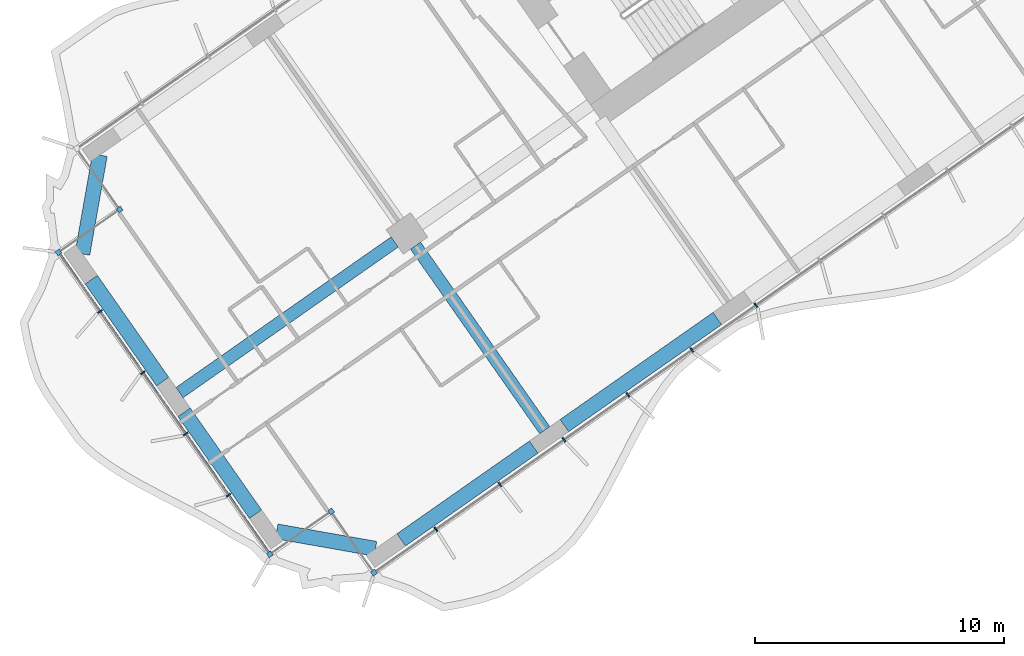
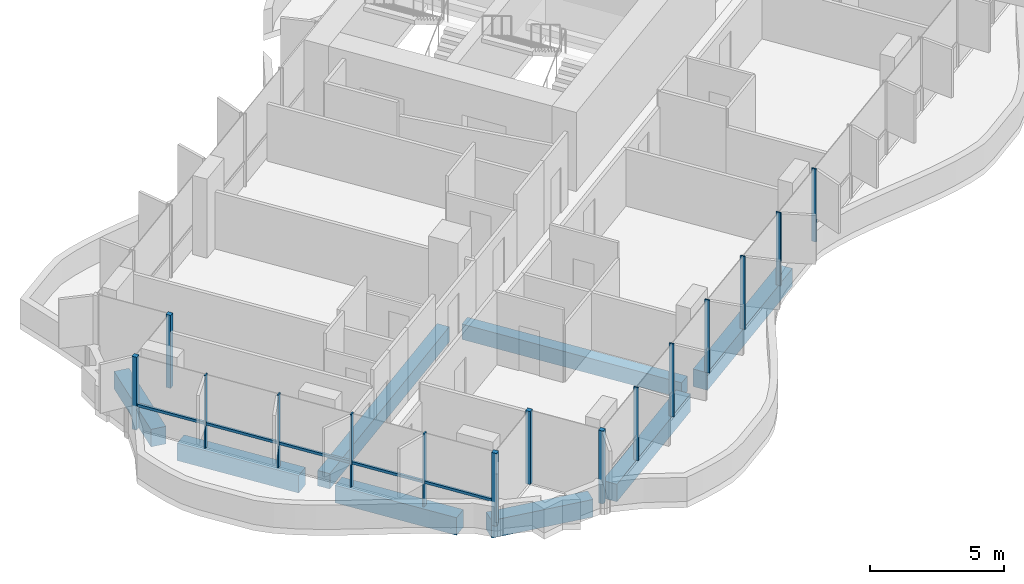
# One storey, part 2 of 25: 16 members, 8 beams, 1 element without a shape of its own.
"""IFC4 building model written with IfcOpenShell, lengths in metres."""

from ifc_helpers import new_model, si_unit, direction, frame, origin, origin_2d, place, context, subcontext, project, spatial, rectangle, extrude, material, material_profile, profile_set, type_object, element, aggregate, save


model = new_model("IFC4")

# Units and contexts
model_context = context("Model", 3, precision=1e-05, world=origin(), true_north=direction((0.0, 1.0)))
body_context = subcontext(model_context, "Body", "Model", "MODEL_VIEW")
ifc_project = project(units=[si_unit("LENGTHUNIT", "METRE"), si_unit("AREAUNIT", "SQUARE_METRE"), si_unit("VOLUMEUNIT", "CUBIC_METRE"), si_unit("PLANEANGLEUNIT", "RADIAN"), si_unit("MASSUNIT", "GRAM", prefix="KILO")], contexts=[model_context])

# Site, building, storey
site_placement = place(None, origin())
site = spatial("IfcSite", under=ifc_project, at=site_placement, CompositionType="ELEMENT")
building_placement = place(site_placement, origin())
building = spatial("IfcBuilding", under=site, at=building_placement, Name="Tel Ilan Convention Tower", CompositionType="ELEMENT")
storey_placement = place(building_placement, frame((0.0, 0.0, 76.10009765625)))
storey = spatial("IfcBuildingStorey", under=building, at=storey_placement, Name="L14", CompositionType="ELEMENT", Elevation=76.10009765625)

# Beams
ifc_material_1 = material(Name="Concrete C40/50", Category="concrete")
ifc_material_profile_1 = material_profile(ifc_material_1, rectangle(XDim=0.5, YDim=0.699951171875, at=origin_2d()), Name="RC 500x700")
ifc_profile_set_1 = profile_set([ifc_material_profile_1], Name="Concrete C40/50")
beam_type_1 = type_object("IfcBeamType", Name="Beam RC 500x700 Concrete C40/50", PredefinedType="BEAM", material=ifc_profile_set_1)
beam_1_placement = place(storey_placement, frame((-29.98095703125, -20.992919921875, -0.630126953125), z_axis=(-0.819151461915, -0.573577268067, 0.0), x_axis=(0.573577268067, -0.819151461915, 0.0)))
element("IfcBeam", 1, at=beam_1_placement, inside=storey, type_object=beam_type_1, Name="L14 beam W-W-M4-end", PredefinedType="BEAM", context=body_context, shape_type="SweptSolid", body=[
    extrude(rectangle(XDim=0.5, YDim=0.699951171875, at=origin_2d()), origin(), (0.0, 0.0, 1.0), 10.550048828125),
])
beam_2_placement = place(storey_placement, frame((-29.145263671875, -21.14013671875, -0.630126953125), z_axis=(0.573549245583, -0.819171082798, 0.0), x_axis=(0.819171082798, 0.573549245583, 0.0)))
element("IfcBeam", 2, at=beam_2_placement, inside=storey, type_object=beam_type_1, Name="L14 beam W-W-M4-W-F4", PredefinedType="BEAM", context=body_context, shape_type="SweptSolid", body=[
    extrude(rectangle(XDim=0.5, YDim=0.699951171875, at=origin_2d()), origin(), (0.0, 0.0, 1.0), 9.050048828125),
])
ifc_material_2 = material(Name="Concrete C40/50", Category="concrete")
ifc_material_profile_2 = material_profile(ifc_material_2, rectangle(XDim=0.60009765625, YDim=0.800048828125, at=origin_2d()), Name="RC 600x800")
ifc_profile_set_2 = profile_set([ifc_material_profile_2], Name="Concrete C40/50")
beam_type_2 = type_object("IfcBeamType", Name="Beam RC 600x800 Concrete C40/50", PredefinedType="BEAM", material=ifc_profile_set_2)
beam_3_placement = place(storey_placement, frame((-17.0244140625, -24.0673828125, -0.68017578125), z_axis=(-0.81915238829, -0.573575945067, 0.0), x_axis=(0.573575945067, -0.81915238829, 0.0)))
element("IfcBeam", 3, at=beam_3_placement, inside=storey, type_object=beam_type_2, Name="L14 beam W-W-F3-W-F4", PredefinedType="BEAM", context=body_context, shape_type="SweptSolid", body=[
    extrude(rectangle(XDim=0.60009765625, YDim=0.800048828125, at=origin_2d()), origin(), (0.0, 0.0, 1.0), 7.5),
])
beam_4_placement = place(storey_placement, frame((-24.396728515625, -29.2294921875, -0.68017578125), z_axis=(-0.819148977158, -0.573580816643, 0.0), x_axis=(0.573580816643, -0.819148977158, 0.0)))
element("IfcBeam", 4, at=beam_4_placement, inside=storey, type_object=beam_type_2, Name="L14 beam W-W-F4-W-FC", PredefinedType="BEAM", context=body_context, shape_type="SweptSolid", body=[
    extrude(rectangle(XDim=0.60009765625, YDim=0.800048828125, at=origin_2d()), origin(), (0.0, 0.0, 1.0), 6.5),
])
beam_5_placement = place(storey_placement, frame((-30.75341796875, -33.314208984375, -0.68017578125), z_axis=(-0.984815252405, 0.173605641124, 0.0), x_axis=(-0.173605641124, -0.984815252405, 0.0)))
element("IfcBeam", 5, at=beam_5_placement, inside=storey, type_object=beam_type_2, Name="L14 beam W-W-FC-W-E1", PredefinedType="BEAM", context=body_context, shape_type="SweptSolid", body=[
    extrude(rectangle(XDim=0.60009765625, YDim=0.800048828125, at=origin_2d()), origin(), (0.0, 0.0, 1.0), 4.030517578125),
])
for number, where, z_axis, x_axis, name in (
    (6, (-35.57080078125, -31.92626953125, -0.68017578125), (-0.573586866468, 0.819144740944, 0.0), (-0.819144740944, -0.573586866468, 0.0), "L14 beam W-W-E1-W-E2"),
    (7, (-39.298828125, -26.601806640625, -0.68017578125), (-0.573586866468, 0.819144740944, 0.0), (-0.819144740944, -0.573586866468, 0.0), "L14 beam W-W-E2-W-E3"),
):
    element("IfcBeam", number, at=place(storey_placement, frame(where, z_axis=z_axis, x_axis=x_axis)), inside=storey, type_object=beam_type_2, Name=name, PredefinedType="BEAM", context=body_context, shape_type="SweptSolid", body=[
        extrude(rectangle(XDim=0.60009765625, YDim=0.800048828125, at=origin_2d()), origin(), (0.0, 0.0, 1.0), 5.0),
    ])
beam_6_placement = place(storey_placement, frame((-42.523193359375, -21.473876953125, -0.68017578125), z_axis=(0.173605641124, 0.984815252405, 0.0), x_axis=(-0.984815252405, 0.173605641124, 0.0)))
element("IfcBeam", 8, at=beam_6_placement, inside=storey, type_object=beam_type_2, Name="L14 beam W-W-E3-W-BC", PredefinedType="BEAM", context=body_context, shape_type="SweptSolid", body=[
    extrude(rectangle(XDim=0.60009765625, YDim=0.800048828125, at=origin_2d()), origin(), (0.0, 0.0, 1.0), 4.030517578125),
])

# Curtain wall, members
ifc_material_3 = material(Name="Aluminium, bronze anodised", Category="aluminium")
curtain_wall_type = type_object("IfcCurtainWallType", Name="CW1 UNITISED CURTAIN WALL, HOTEL TINTED GLASS", PredefinedType="NOTDEFINED", material=ifc_material_3)
curtain_wall_placement = place(storey_placement, origin())
curtain_wall = element("IfcCurtainWall", 9, at=curtain_wall_placement, inside=storey, type_object=curtain_wall_type, Name="Curtain wall CW1-14.06", PredefinedType="NOTDEFINED")
ifc_material_4 = material(Name="Aluminium, bronze anodised", Category="aluminium")
ifc_material_profile_3 = material_profile(ifc_material_4, rectangle(XDim=0.199951171875, YDim=0.199951171875, at=origin_2d()), Name="CW CORNER MULLION 200x200")
ifc_profile_set_3 = profile_set([ifc_material_profile_3], Name="Aluminium, bronze anodised")
member_type_1 = type_object("IfcMemberType", Name="CW CORNER MULLION 200x200", PredefinedType="MULLION", material=ifc_profile_set_3)
member_1_placement = place(storey_placement, frame((-41.0244140625, -19.69189453125, 0.0), z_axis=(0.0, 0.0, 1.0), x_axis=(0.573576436351, -0.819152044289, 0.0)))
member_1 = element("IfcMember", 10, at=member_1_placement, type_object=member_type_1, Name="Corner mullion", PredefinedType="MULLION", context=body_context, shape_type="SweptSolid", body=[
    extrude(rectangle(XDim=0.199951171875, YDim=0.199951171875, at=origin_2d()), origin(), (0.0, 0.0, 1.0), 3.31982421875),
])
member_2_placement = place(storey_placement, frame((-43.48193359375, -21.41259765625, 0.0), z_axis=(0.0, 0.0, 1.0), x_axis=(-0.819152044289, -0.573576436351, 0.0)))
member_2 = element("IfcMember", 11, at=member_2_placement, type_object=member_type_1, Name="Corner mullion", PredefinedType="MULLION", context=body_context, shape_type="SweptSolid", body=[
    extrude(rectangle(XDim=0.199951171875, YDim=0.199951171875, at=origin_2d()), origin(), (0.0, 0.0, 1.0), 3.31982421875),
])
member_3_placement = place(storey_placement, frame((-34.992919921875, -33.5361328125, 0.0), z_axis=(0.0, 0.0, 1.0), x_axis=(0.573576436351, -0.819152044289, 0.0)))
member_3 = element("IfcMember", 12, at=member_3_placement, type_object=member_type_1, Name="Corner mullion", PredefinedType="MULLION", context=body_context, shape_type="SweptSolid", body=[
    extrude(rectangle(XDim=0.199951171875, YDim=0.199951171875, at=origin_2d()), origin(), (0.0, 0.0, 1.0), 3.31982421875),
])
member_4_placement = place(storey_placement, frame((-32.535400390625, -31.815185546875, 0.0), z_axis=(0.0, 0.0, 1.0), x_axis=(0.819152044289, 0.573576436351, 0.0)))
member_4 = element("IfcMember", 13, at=member_4_placement, type_object=member_type_1, Name="Corner mullion", PredefinedType="MULLION", context=body_context, shape_type="SweptSolid", body=[
    extrude(rectangle(XDim=0.199951171875, YDim=0.199951171875, at=origin_2d()), origin(), (0.0, 0.0, 1.0), 3.31982421875),
])
member_5_placement = place(storey_placement, frame((-30.814697265625, -34.272705078125, 0.0), z_axis=(0.0, 0.0, 1.0), x_axis=(0.573576436351, -0.819152044289, 0.0)))
member_5 = element("IfcMember", 14, at=member_5_placement, type_object=member_type_1, Name="Corner mullion", PredefinedType="MULLION", context=body_context, shape_type="SweptSolid", body=[
    extrude(rectangle(XDim=0.199951171875, YDim=0.199951171875, at=origin_2d()), origin(), (0.0, 0.0, 1.0), 3.31982421875),
])
ifc_material_5 = material(Name="Aluminium, bronze anodised", Category="aluminium")
ifc_material_profile_4 = material_profile(ifc_material_5, rectangle(XDim=0.06005859375, YDim=0.199951171875, at=origin_2d()), Name="CW MULLION 60x200")
ifc_profile_set_4 = profile_set([ifc_material_profile_4], Name="Aluminium, bronze anodised")
member_type_2 = type_object("IfcMemberType", Name="CW MULLION 60x200", PredefinedType="MULLION", material=ifc_profile_set_4)
member_6_placement = place(storey_placement, frame((-41.818359375, -23.7880859375, 0.0), z_axis=(0.0, 0.0, 1.0), x_axis=(0.573576436351, -0.819152044289, 0.0)))
member_6 = element("IfcMember", 15, at=member_6_placement, type_object=member_type_2, Name="Mullion", PredefinedType="MULLION", context=body_context, shape_type="SweptSolid", body=[
    extrude(rectangle(XDim=0.06005859375, YDim=0.199951171875, at=origin_2d()), origin(), (0.0, 0.0, 1.0), 3.31982421875),
])
member_7_placement = place(storey_placement, frame((-40.09765625, -26.24560546875, 0.0), z_axis=(0.0, 0.0, 1.0), x_axis=(0.573576436351, -0.819152044289, 0.0)))
member_7 = element("IfcMember", 16, at=member_7_placement, type_object=member_type_2, Name="Mullion", PredefinedType="MULLION", context=body_context, shape_type="SweptSolid", body=[
    extrude(rectangle(XDim=0.06005859375, YDim=0.199951171875, at=origin_2d()), origin(), (0.0, 0.0, 1.0), 3.31982421875),
])
member_8_placement = place(storey_placement, frame((-38.376953125, -28.703125, 0.0), z_axis=(0.0, 0.0, 1.0), x_axis=(0.573576436351, -0.819152044289, 0.0)))
member_8 = element("IfcMember", 17, at=member_8_placement, type_object=member_type_2, Name="Mullion", PredefinedType="MULLION", context=body_context, shape_type="SweptSolid", body=[
    extrude(rectangle(XDim=0.06005859375, YDim=0.199951171875, at=origin_2d()), origin(), (0.0, 0.0, 1.0), 3.31982421875),
])
member_9_placement = place(storey_placement, frame((-36.65625, -31.160400390625, 0.0), z_axis=(0.0, 0.0, 1.0), x_axis=(0.573576436351, -0.819152044289, 0.0)))
member_9 = element("IfcMember", 18, at=member_9_placement, type_object=member_type_2, Name="Mullion", PredefinedType="MULLION", context=body_context, shape_type="SweptSolid", body=[
    extrude(rectangle(XDim=0.06005859375, YDim=0.199951171875, at=origin_2d()), origin(), (0.0, 0.0, 1.0), 3.31982421875),
])
member_10_placement = place(storey_placement, frame((-28.32666015625, -32.530517578125, 0.0), z_axis=(0.0, 0.0, 1.0), x_axis=(0.819152044289, 0.573576436351, 0.0)))
member_10 = element("IfcMember", 19, at=member_10_placement, type_object=member_type_2, Name="Mullion", PredefinedType="MULLION", context=body_context, shape_type="SweptSolid", body=[
    extrude(rectangle(XDim=0.06005859375, YDim=0.199951171875, at=origin_2d()), origin(), (0.0, 0.0, 1.0), 3.31982421875),
])
member_11_placement = place(storey_placement, frame((-25.7568359375, -30.731201171875, 0.0), z_axis=(0.0, 0.0, 1.0), x_axis=(0.819152044289, 0.573576436351, 0.0)))
member_11 = element("IfcMember", 20, at=member_11_placement, type_object=member_type_2, Name="Mullion", PredefinedType="MULLION", context=body_context, shape_type="SweptSolid", body=[
    extrude(rectangle(XDim=0.06005859375, YDim=0.199951171875, at=origin_2d()), origin(), (0.0, 0.0, 1.0), 3.31982421875),
])
member_12_placement = place(storey_placement, frame((-23.186767578125, -28.931640625, 0.0), z_axis=(0.0, 0.0, 1.0), x_axis=(0.819152044289, 0.573576436351, 0.0)))
member_12 = element("IfcMember", 21, at=member_12_placement, type_object=member_type_2, Name="Mullion", PredefinedType="MULLION", context=body_context, shape_type="SweptSolid", body=[
    extrude(rectangle(XDim=0.06005859375, YDim=0.199951171875, at=origin_2d()), origin(), (0.0, 0.0, 1.0), 3.31982421875),
])
member_13_placement = place(storey_placement, frame((-20.616943359375, -27.132080078125, 0.0), z_axis=(0.0, 0.0, 1.0), x_axis=(0.819152044289, 0.573576436351, 0.0)))
member_13 = element("IfcMember", 22, at=member_13_placement, type_object=member_type_2, Name="Mullion", PredefinedType="MULLION", context=body_context, shape_type="SweptSolid", body=[
    extrude(rectangle(XDim=0.06005859375, YDim=0.199951171875, at=origin_2d()), origin(), (0.0, 0.0, 1.0), 3.31982421875),
])
member_14_placement = place(storey_placement, frame((-18.046875, -25.332763671875, 0.0), z_axis=(0.0, 0.0, 1.0), x_axis=(0.819152044289, 0.573576436351, 0.0)))
member_14 = element("IfcMember", 23, at=member_14_placement, type_object=member_type_2, Name="Mullion", PredefinedType="MULLION", context=body_context, shape_type="SweptSolid", body=[
    extrude(rectangle(XDim=0.06005859375, YDim=0.199951171875, at=origin_2d()), origin(), (0.0, 0.0, 1.0), 3.31982421875),
])
member_15_placement = place(storey_placement, frame((-15.47705078125, -23.533203125, 0.0), z_axis=(0.0, 0.0, 1.0), x_axis=(0.819152044289, 0.573576436351, 0.0)))
member_15 = element("IfcMember", 24, at=member_15_placement, type_object=member_type_2, Name="Mullion", PredefinedType="MULLION", context=body_context, shape_type="SweptSolid", body=[
    extrude(rectangle(XDim=0.06005859375, YDim=0.199951171875, at=origin_2d()), origin(), (0.0, 0.0, 1.0), 3.31982421875),
])
ifc_material_6 = material(Name="Aluminium, bronze anodised", Category="aluminium")
ifc_material_profile_5 = material_profile(ifc_material_6, rectangle(XDim=0.10009765625, YDim=0.1201171875, at=origin_2d()), Name="CW TRANSOM 100x120")
ifc_profile_set_5 = profile_set([ifc_material_profile_5], Name="Aluminium, bronze anodised")
member_type_3 = type_object("IfcMemberType", Name="CW TRANSOM 100x120", PredefinedType="USERDEFINED", material=ifc_profile_set_5)
member_16_placement = place(storey_placement, frame((-43.424560546875, -21.494384765625, 1.099853515625), z_axis=(0.573575688231, -0.819152568128, 0.0), x_axis=(0.819152568128, 0.573575688231, 0.0)))
member_16 = element("IfcMember", 25, at=member_16_placement, type_object=member_type_3, Name="Transom", ObjectType="TRANSOM", PredefinedType="USERDEFINED", context=body_context, shape_type="SweptSolid", body=[
    extrude(rectangle(XDim=0.10009765625, YDim=0.1201171875, at=origin_2d()), origin(), (0.0, 0.0, 1.0), 14.60009765625),
])
aggregate(curtain_wall, [member_1, member_2, member_6, member_7, member_8, member_9, member_3, member_16, member_4, member_5, member_10, member_11, member_12, member_13, member_14, member_15])

save(model, "model.ifc")
